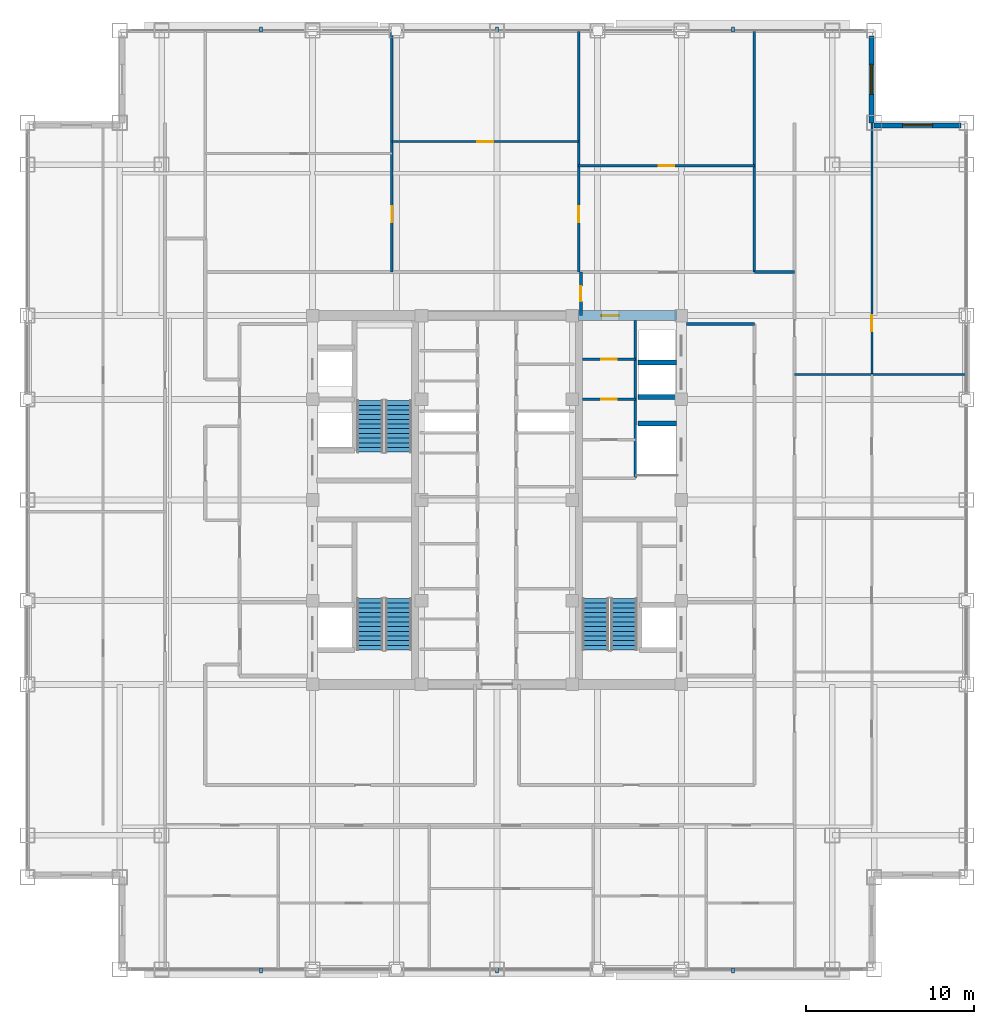
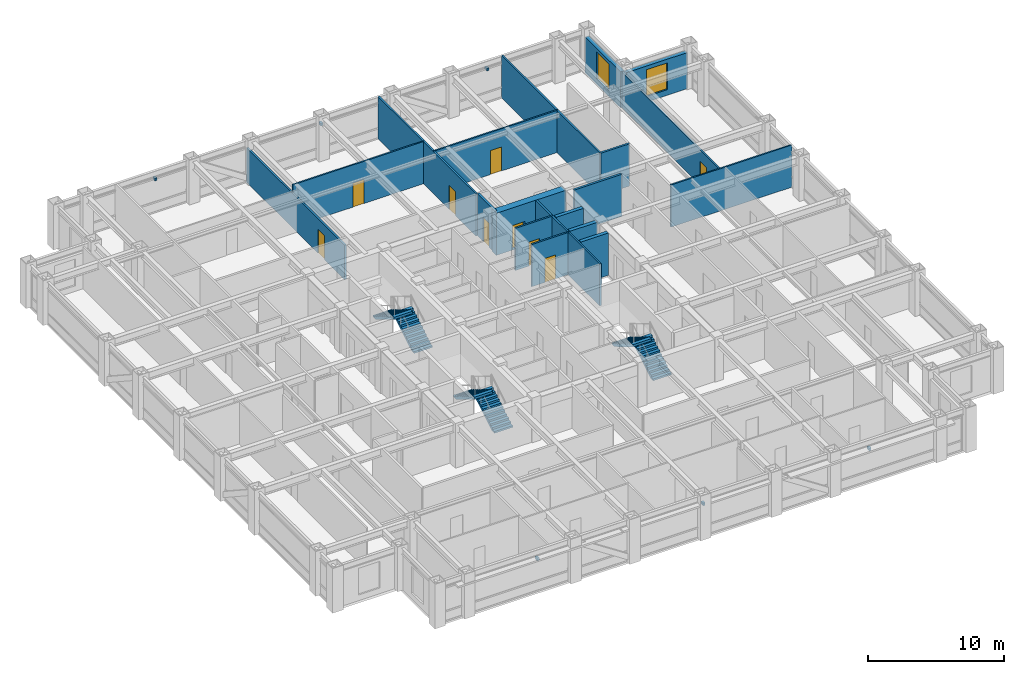
# One storey, part 22 of 27: 19 walls, 9 doors, 6 discrete accessories, 6 stair flights, 2 windows, 11 openings, 3 elements without a shape of their own.
"""IFC4 building model written with IfcOpenShell, lengths in metres."""

from ifc_helpers import new_model, si_unit, direction, frame, frame_2d, origin, origin_2d, place, context, subcontext, project, spatial, polyline, rectangle, outline, extrude, source, transform, mapped, material, layer, layer_set, type_object, element, fill, aggregate, save


model = new_model("IFC4")

# Units and contexts
model_context = context("Model", 3, precision=1e-05, world=origin(), true_north=direction((0.0, 1.0)))
body_context = subcontext(model_context, "Body", "Model", "MODEL_VIEW")
ifc_project = project(units=[si_unit("LENGTHUNIT", "METRE"), si_unit("AREAUNIT", "SQUARE_METRE"), si_unit("VOLUMEUNIT", "CUBIC_METRE"), si_unit("PLANEANGLEUNIT", "RADIAN"), si_unit("MASSUNIT", "GRAM", prefix="KILO")], contexts=[model_context])

# Site, building, storey
site_placement = place(None, origin())
site = spatial("IfcSite", under=ifc_project, at=site_placement, CompositionType="ELEMENT")
building_placement = place(site_placement, origin())
building = spatial("IfcBuilding", under=site, at=building_placement, Name="Khorayat Bourse Tower", CompositionType="ELEMENT")
storey_placement = place(building_placement, frame((0.0, 0.0, 285.5)))
storey = spatial("IfcBuildingStorey", under=building, at=storey_placement, Name="L67", CompositionType="ELEMENT", Elevation=285.5)

# Wall, opening, door
ifc_material_1 = material(Name="Concrete C60/75", Category="concrete")
ifc_layer_1 = layer(ifc_material_1, 0.60009765625)
ifc_layer_set_1 = layer_set([ifc_layer_1], Name="Concrete C60/75")
wall_type_1 = type_object("IfcWallType", Name="WAL-CORE-600", PredefinedType="SHEAR", material=ifc_layer_set_1)
shared_shape_1 = source(origin(), body_context, "Body", "SweptSolid", [
    extrude(rectangle(XDim=5.89990234375, YDim=0.60009765625, at=frame_2d((2.949951171875, 0.0))), origin(), (0.0, 0.0, 1.0), 3.780029296875),
])
wall_1_placement = place(storey_placement, frame((4.85009765625, 11.0, 0.0), z_axis=(0.0, 0.0, 1.0), x_axis=(1.0, 0.0, 0.0)))
wall_1 = element("IfcWall", 1, at=wall_1_placement, inside=storey, type_object=wall_type_1, Name="L67 Core Shear Wall PIER-EN", PredefinedType="SHEAR", context=body_context, shape_type="MappedRepresentation", body=[
    mapped(shared_shape_1, transform((0.0, 0.0, 0.0), scale=1.0)),
])
shared_shape_2 = source(origin(), body_context, "Body", "SweptSolid", [
    extrude(rectangle(XDim=1.050048828125, YDim=2.199951171875, at=frame_2d((0.52490234375, 1.10009765625))), frame((0.0, 0.31005859375, 0.0), z_axis=(0.0, -1.0, 0.0), x_axis=(1.0, 0.0, 0.0)), (0.0, 0.0, 1.0), 0.6201171875),
])
opening_1_placement = place(wall_1_placement, frame((1.375, 0.0, 0.0)))
opening_1 = element("IfcOpeningElement", 2, at=opening_1_placement, cuts=wall_1, Name="Opening DI-04", PredefinedType="OPENING", context=body_context, shape_type="MappedRepresentation", body=[
    mapped(shared_shape_2, transform((0.0, 0.0, 0.0), scale=1.0)),
])
ifc_material_2 = material(Name="Fire-rated oak veneer suite entrance door")
door_type_1 = type_object("IfcDoorType", Name="DR-INT-SUITE-1050", OperationType="NOTDEFINED", PredefinedType="DOOR", material=ifc_material_2)
shared_shape_3 = source(origin(), body_context, "Body", "SweptSolid", [
    extrude(rectangle(XDim=1.050048828125, YDim=2.199951171875, at=frame_2d((0.52490234375, 1.10009765625))), frame((0.0, 0.02490234375, 0.0), z_axis=(0.0, -1.0, 0.0), x_axis=(1.0, 0.0, 0.0)), (0.0, 0.0, 1.0), 0.050048828125),
])
door_1_placement = place(opening_1_placement, origin())
door_1 = element("IfcDoor", 3, at=door_1_placement, inside=storey, type_object=door_type_1, Name="L67 Core Washroom Lobby Door", OperationType="SINGLE_SWING_LEFT", OverallHeight=2.199951171875, OverallWidth=1.050048828125, PredefinedType="DOOR", context=body_context, shape_type="MappedRepresentation", body=[
    mapped(shared_shape_3, transform((0.0, 0.0, 0.0), scale=1.0)),
])
fill(opening_1, door_1)

# Wall, opening, window
ifc_material_3 = material(Name="Precast concrete C45/55", Category="concrete")
ifc_layer_2 = layer(ifc_material_3, 0.320068359375)
ifc_layer_set_2 = layer_set([ifc_layer_2], Name="Precast concrete C45/55")
wall_type_2 = type_object("IfcWallType", Name="WAL-EXT-STONE-320", PredefinedType="STANDARD", material=ifc_layer_set_2)
shared_shape_4 = source(origin(), body_context, "Body", "SweptSolid", [
    extrude(rectangle(XDim=5.179931640625, YDim=0.320068359375, at=frame_2d((2.58984375, 0.0))), origin(), (0.0, 0.0, 1.0), 3.23095703125),
])
wall_2_placement = place(storey_placement, frame((22.5, 22.340087890625, 0.0), z_axis=(0.0, 0.0, 1.0), x_axis=(1.0, 0.0, 0.0)))
wall_2 = element("IfcWall", 4, at=wall_2_placement, inside=storey, type_object=wall_type_2, Name="L67 Re-Entrant Notch Limestone Wall NE-H", PredefinedType="STANDARD", context=body_context, shape_type="MappedRepresentation", body=[
    mapped(shared_shape_4, transform((0.0, 0.0, 0.0), scale=1.0)),
])
shared_shape_5 = source(origin(), body_context, "Body", "SweptSolid", [
    extrude(rectangle(XDim=1.800048828125, YDim=2.39990234375, at=frame_2d((0.89990234375, 1.199951171875))), frame((0.0, 0.169921875, 0.0), z_axis=(0.0, -1.0, 0.0), x_axis=(1.0, 0.0, 0.0)), (0.0, 0.0, 1.0), 0.340087890625),
])
opening_2_placement = place(wall_2_placement, frame((1.68994140625, 0.0, 0.5)))
opening_2 = element("IfcOpeningElement", 5, at=opening_2_placement, cuts=wall_2, Name="Opening WN-04", PredefinedType="OPENING", context=body_context, shape_type="MappedRepresentation", body=[
    mapped(shared_shape_5, transform((0.0, 0.0, 0.0), scale=1.0)),
])
ifc_material_4 = material(Name="Low-E acoustic laminated double glazing", Category="glass")
window_type = type_object("IfcWindowType", Name="WIN-NOTCH-1800x2400", PartitioningType="SINGLE_PANEL", PredefinedType="WINDOW", material=ifc_material_4)
shared_shape_6 = source(origin(), body_context, "Body", "SweptSolid", [
    extrude(rectangle(XDim=1.800048828125, YDim=2.39990234375, at=frame_2d((0.89990234375, 1.199951171875))), frame((0.0, 0.030029296875, 0.0), z_axis=(0.0, -1.0, 0.0), x_axis=(1.0, 0.0, 0.0)), (0.0, 0.0, 1.0), 0.06005859375),
])
window_1_placement = place(opening_2_placement, origin())
window_1 = element("IfcWindow", 6, at=window_1_placement, inside=storey, type_object=window_type, Name="L67 Facade Window 1", OverallHeight=2.39990234375, OverallWidth=1.800048828125, PartitioningType="SINGLE_PANEL", PredefinedType="WINDOW", context=body_context, shape_type="MappedRepresentation", body=[
    mapped(shared_shape_6, transform((0.0, 0.0, 0.0), scale=1.0)),
])
fill(opening_2, window_1)

wall_3_placement = place(storey_placement, frame((22.340087890625, 22.5, 0.0), z_axis=(0.0, 0.0, 1.0), x_axis=(0.0, 1.0, 0.0)))
wall_3 = element("IfcWall", 7, at=wall_3_placement, inside=storey, type_object=wall_type_2, Name="L67 Re-Entrant Notch Limestone Wall NE-V", PredefinedType="STANDARD", context=body_context, shape_type="MappedRepresentation", body=[
    mapped(shared_shape_4, transform((0.0, 0.0, 0.0), scale=1.0)),
])
opening_3_placement = place(wall_3_placement, frame((1.68994140625, 0.0, 0.5)))
opening_3 = element("IfcOpeningElement", 8, at=opening_3_placement, cuts=wall_3, Name="Opening WN-04", PredefinedType="OPENING", context=body_context, shape_type="MappedRepresentation", body=[
    mapped(shared_shape_5, transform((0.0, 0.0, 0.0), scale=1.0)),
])
window_2_placement = place(opening_3_placement, origin())
window_2 = element("IfcWindow", 9, at=window_2_placement, inside=storey, type_object=window_type, Name="L67 Facade Window 1", OverallHeight=2.39990234375, OverallWidth=1.800048828125, PartitioningType="SINGLE_PANEL", PredefinedType="WINDOW", context=body_context, shape_type="MappedRepresentation", body=[
    mapped(shared_shape_6, transform((0.0, 0.0, 0.0), scale=1.0)),
])
fill(opening_3, window_2)

# Walls
ifc_material_5 = material(Name="Concrete C50/60", Category="concrete")
ifc_layer_3 = layer(ifc_material_5, 0.300048828125)
ifc_layer_set_3 = layer_set([ifc_layer_3], Name="Concrete C50/60")
wall_type_3 = type_object("IfcWallType", Name="WAL-SHAFT-300", PredefinedType="SHEAR", material=ifc_layer_set_3)
shared_shape_7 = source(origin(), body_context, "Body", "SweptSolid", [
    extrude(rectangle(XDim=2.300048828125, YDim=0.300048828125, at=frame_2d((1.14990234375, 0.0))), origin(), (0.0, 0.0, 1.0), 3.780029296875),
])
for number, where, z_axis, x_axis, name in (
    (10, (8.39990234375, 4.550048828125, 0.0), (0.0, 0.0, 1.0), (1.0, 0.0, 0.0), "L67 Partition WAL-L67-EPIER-SVLN"),
    (11, (8.39990234375, 6.14990234375, 0.0), (0.0, 0.0, 1.0), (1.0, 0.0, 0.0), "L67 Partition WAL-L67-EPIER-H3S"),
    (12, (8.39990234375, 8.199951171875, 0.0), (0.0, 0.0, 1.0), (1.0, 0.0, 0.0), "L67 Partition WAL-L67-EPIER-H34"),
):
    element("IfcWall", number, at=place(storey_placement, frame(where, z_axis=z_axis, x_axis=x_axis)), inside=storey, type_object=wall_type_3, Name=name, PredefinedType="SHEAR", context=body_context, shape_type="MappedRepresentation", body=[
        mapped(shared_shape_7, transform((0.0, 0.0, 0.0), scale=1.0)),
    ])
ifc_material_6 = material(Name="Moisture-resistant masonry partition", Category="masonry")
ifc_layer_4 = layer(ifc_material_6, 0.139892578125)
ifc_layer_set_4 = layer_set([ifc_layer_4], Name="Moisture-resistant masonry partition")
wall_type_4 = type_object("IfcWallType", Name="WAL-PART-WET-140", PredefinedType="PARTITIONING", material=ifc_layer_set_4)
shared_shape_8 = source(origin(), body_context, "Body", "SweptSolid", [
    extrude(rectangle(XDim=9.39990234375, YDim=0.139892578125, at=frame_2d((4.699951171875, 0.0))), origin(), (0.0, 0.0, 1.0), 3.780029296875),
])
wall_4_placement = place(storey_placement, frame((8.25, 1.300048828125, 0.0), z_axis=(0.0, 0.0, 1.0), x_axis=(0.0, 1.0, 0.0)))
element("IfcWall", 13, at=wall_4_placement, inside=storey, type_object=wall_type_4, Name="L67 Partition WAL-L67-ECORE-E", PredefinedType="PARTITIONING", context=body_context, shape_type="MappedRepresentation", body=[
    mapped(shared_shape_8, transform((0.0, 0.0, 0.0), scale=1.0)),
])

# Wall, opening, door
shared_shape_9 = source(origin(), body_context, "Body", "SweptSolid", [
    extrude(rectangle(XDim=3.14990234375, YDim=0.139892578125, at=frame_2d((1.574951171875, 0.0))), origin(), (0.0, 0.0, 1.0), 3.780029296875),
])
wall_5_placement = place(storey_placement, frame((5.10009765625, 8.39990234375, 0.0), z_axis=(0.0, 0.0, 1.0), x_axis=(1.0, 0.0, 0.0)))
wall_5 = element("IfcWall", 14, at=wall_5_placement, inside=storey, type_object=wall_type_4, Name="L67 Partition WAL-L67-ECW-TOP", PredefinedType="PARTITIONING", context=body_context, shape_type="MappedRepresentation", body=[
    mapped(shared_shape_9, transform((0.0, 0.0, 0.0), scale=1.0)),
])
shared_shape_10 = source(origin(), body_context, "Body", "SweptSolid", [
    extrude(rectangle(XDim=0.89990234375, YDim=2.14990234375, at=frame_2d((0.449951171875, 1.074951171875))), frame((0.0, 0.079833984375, 0.0), z_axis=(0.0, -1.0, 0.0), x_axis=(1.0, 0.0, 0.0)), (0.0, 0.0, 1.0), 0.159912109375),
])
opening_4_placement = place(wall_5_placement, frame((1.1298828125, 0.0, 0.0)))
opening_4 = element("IfcOpeningElement", 15, at=opening_4_placement, cuts=wall_5, Name="Opening DI-06", PredefinedType="OPENING", context=body_context, shape_type="MappedRepresentation", body=[
    mapped(shared_shape_10, transform((0.0, 0.0, 0.0), scale=1.0)),
])
ifc_material_7 = material(Name="Moisture-resistant laminate washroom door")
door_type_2 = type_object("IfcDoorType", Name="DR-INT-WC-900", OperationType="NOTDEFINED", PredefinedType="DOOR", material=ifc_material_7)
shared_shape_11 = source(origin(), body_context, "Body", "SweptSolid", [
    extrude(rectangle(XDim=0.89990234375, YDim=2.14990234375, at=frame_2d((0.449951171875, 1.074951171875))), frame((0.0, 0.02490234375, 0.0), z_axis=(0.0, -1.0, 0.0), x_axis=(1.0, 0.0, 0.0)), (0.0, 0.0, 1.0), 0.050048828125),
])
door_2_placement = place(opening_4_placement, origin())
door_2 = element("IfcDoor", 16, at=door_2_placement, inside=storey, type_object=door_type_2, Name="L67 Accessible WC Door", OperationType="SINGLE_SWING_LEFT", OverallHeight=2.14990234375, OverallWidth=0.89990234375, PredefinedType="DOOR", context=body_context, shape_type="MappedRepresentation", body=[
    mapped(shared_shape_11, transform((0.0, 0.0, 0.0), scale=1.0)),
])
fill(opening_4, door_2)

wall_6_placement = place(storey_placement, frame((5.10009765625, 6.0, 0.0), z_axis=(0.0, 0.0, 1.0), x_axis=(1.0, 0.0, 0.0)))
wall_6 = element("IfcWall", 17, at=wall_6_placement, inside=storey, type_object=wall_type_4, Name="L67 Partition WAL-L67-ECW-H1", PredefinedType="PARTITIONING", context=body_context, shape_type="MappedRepresentation", body=[
    mapped(shared_shape_9, transform((0.0, 0.0, 0.0), scale=1.0)),
])
opening_5_placement = place(wall_6_placement, frame((1.1298828125, 0.0, 0.0)))
opening_5 = element("IfcOpeningElement", 18, at=opening_5_placement, cuts=wall_6, Name="Opening DI-06", PredefinedType="OPENING", context=body_context, shape_type="MappedRepresentation", body=[
    mapped(shared_shape_10, transform((0.0, 0.0, 0.0), scale=1.0)),
])
door_3_placement = place(opening_5_placement, origin())
door_3 = element("IfcDoor", 19, at=door_3_placement, inside=storey, type_object=door_type_2, Name="L67 Shared Washroom Door", OperationType="SINGLE_SWING_RIGHT", OverallHeight=2.14990234375, OverallWidth=0.89990234375, PredefinedType="DOOR", context=body_context, shape_type="MappedRepresentation", body=[
    mapped(shared_shape_11, transform((0.0, 0.0, 0.0), scale=1.0)),
])
fill(opening_5, door_3)

# Wall
ifc_material_8 = material(Name="Gypsum plasterboard acoustic stud wall")
ifc_layer_5 = layer(ifc_material_8, 0.179931640625)
ifc_layer_set_5 = layer_set([ifc_layer_5], Name="Gypsum plasterboard acoustic stud wall")
wall_type_5 = type_object("IfcWallType", Name="WAL-PART-CORR-180", PredefinedType="PARTITIONING", material=ifc_layer_set_5)
shared_shape_12 = source(origin(), body_context, "Body", "SweptSolid", [
    extrude(rectangle(XDim=4.050048828125, YDim=0.179931640625, at=frame_2d((2.02490234375, 0.0))), origin(), (0.0, 0.0, 1.0), 3.780029296875),
])
wall_7_placement = place(storey_placement, frame((11.300048828125, 10.5, 0.0), z_axis=(0.0, 0.0, 1.0), x_axis=(1.0, 0.0, 0.0)))
element("IfcWall", 20, at=wall_7_placement, inside=storey, type_object=wall_type_5, Name="L67 Partition WAL-L67-ELOB-N", PredefinedType="PARTITIONING", context=body_context, shape_type="MappedRepresentation", body=[
    mapped(shared_shape_12, transform((0.0, 0.0, 0.0), scale=1.0)),
])

# Wall, opening, door
shared_shape_13 = source(origin(), body_context, "Body", "SweptSolid", [
    extrude(rectangle(XDim=2.60009765625, YDim=0.179931640625, at=frame_2d((1.300048828125, 0.0))), origin(), (0.0, 0.0, 1.0), 3.780029296875),
])
wall_8_placement = place(storey_placement, frame((5.0, 11.0, 0.0), z_axis=(0.0, 0.0, 1.0), x_axis=(0.0, 1.0, 0.0)))
wall_8 = element("IfcWall", 21, at=wall_8_placement, inside=storey, type_object=wall_type_5, Name="L67 Partition WAL-L67-CORRNE-W", PredefinedType="PARTITIONING", context=body_context, shape_type="MappedRepresentation", body=[
    mapped(shared_shape_13, transform((0.0, 0.0, 0.0), scale=1.0)),
])
shared_shape_14 = source(origin(), body_context, "Body", "SweptSolid", [
    extrude(rectangle(XDim=0.89990234375, YDim=2.14990234375, at=frame_2d((0.449951171875, 1.074951171875))), frame((0.0, 0.099853515625, 0.0), z_axis=(0.0, -1.0, 0.0), x_axis=(1.0, 0.0, 0.0)), (0.0, 0.0, 1.0), 0.199951171875),
])
opening_6_placement = place(wall_8_placement, frame((0.85009765625, 0.0, 0.0)))
opening_6 = element("IfcOpeningElement", 22, at=opening_6_placement, cuts=wall_8, Name="Opening DI-06", PredefinedType="OPENING", context=body_context, shape_type="MappedRepresentation", body=[
    mapped(shared_shape_14, transform((0.0, 0.0, 0.0), scale=1.0)),
])
door_4_placement = place(opening_6_placement, origin())
door_4 = element("IfcDoor", 23, at=door_4_placement, inside=storey, type_object=door_type_2, Name="L67 North Core Pantry Door", OperationType="SINGLE_SWING_LEFT", OverallHeight=2.14990234375, OverallWidth=0.89990234375, PredefinedType="DOOR", context=body_context, shape_type="MappedRepresentation", body=[
    mapped(shared_shape_11, transform((0.0, 0.0, 0.0), scale=1.0)),
])
fill(opening_6, door_4)

# Wall
shared_shape_15 = source(origin(), body_context, "Body", "SweptSolid", [
    extrude(rectangle(XDim=2.39990234375, YDim=0.179931640625, at=frame_2d((1.199951171875, 0.0))), origin(), (0.0, 0.0, 1.0), 3.780029296875),
])
wall_9_placement = place(storey_placement, frame((15.35009765625, 13.60009765625, 0.0), z_axis=(0.0, 0.0, 1.0), x_axis=(1.0, 0.0, 0.0)))
element("IfcWall", 24, at=wall_9_placement, inside=storey, type_object=wall_type_5, Name="L67 Partition WAL-L67-GALE-N", PredefinedType="PARTITIONING", context=body_context, shape_type="MappedRepresentation", body=[
    mapped(shared_shape_15, transform((0.0, 0.0, 0.0), scale=1.0)),
])

# Wall, opening, door
ifc_material_9 = material(Name="Gypsum plasterboard twin-frame partition")
ifc_layer_6 = layer(ifc_material_9, 0.14990234375)
ifc_layer_set_6 = layer_set([ifc_layer_6], Name="Gypsum plasterboard twin-frame partition")
wall_type_6 = type_object("IfcWallType", Name="WAL-PART-SUITE-150", PredefinedType="PARTITIONING", material=ifc_layer_set_6)
shared_shape_16 = source(origin(), body_context, "Body", "SweptSolid", [
    extrude(rectangle(XDim=14.39990234375, YDim=0.14990234375, at=frame_2d((7.199951171875, 0.0))), origin(), (0.0, 0.0, 1.0), 3.780029296875),
])
wall_10_placement = place(storey_placement, frame((4.8701171875, 13.60009765625, 0.0), z_axis=(0.0, 0.0, 1.0), x_axis=(0.0, 1.0, 0.0)))
wall_10 = element("IfcWall", 25, at=wall_10_placement, inside=storey, type_object=wall_type_6, Name="L67 Partition WAL-L67-NDV-2", PredefinedType="PARTITIONING", context=body_context, shape_type="MappedRepresentation", body=[
    mapped(shared_shape_16, transform((0.0, 0.0, 0.0), scale=1.0)),
])
shared_shape_17 = source(origin(), body_context, "Body", "SweptSolid", [
    extrude(rectangle(XDim=0.949951171875, YDim=2.14990234375, at=frame_2d((0.47509765625, 1.074951171875))), frame((0.0, 0.0849609375, 0.0), z_axis=(0.0, -1.0, 0.0), x_axis=(1.0, 0.0, 0.0)), (0.0, 0.0, 1.0), 0.169921875),
])
opening_7_placement = place(wall_10_placement, frame((2.98095703125, 0.0, 0.0)))
opening_7 = element("IfcOpeningElement", 26, at=opening_7_placement, cuts=wall_10, Name="Opening DI-05", PredefinedType="OPENING", context=body_context, shape_type="MappedRepresentation", body=[
    mapped(shared_shape_17, transform((0.0, 0.0, 0.0), scale=1.0)),
])
ifc_material_10 = material(Name="Acoustic oak veneer office door")
door_type_3 = type_object("IfcDoorType", Name="DR-INT-OFFICE-950", OperationType="NOTDEFINED", PredefinedType="DOOR", material=ifc_material_10)
shared_shape_18 = source(origin(), body_context, "Body", "SweptSolid", [
    extrude(rectangle(XDim=0.949951171875, YDim=2.14990234375, at=frame_2d((0.47509765625, 1.074951171875))), frame((0.0, 0.02490234375, 0.0), z_axis=(0.0, -1.0, 0.0), x_axis=(1.0, 0.0, 0.0)), (0.0, 0.0, 1.0), 0.050048828125),
])
door_5_placement = place(opening_7_placement, origin())
door_5 = element("IfcDoor", 27, at=door_5_placement, inside=storey, type_object=door_type_3, Name="L67 N Suite Link 2", OperationType="SINGLE_SWING_LEFT", OverallHeight=2.14990234375, OverallWidth=0.949951171875, PredefinedType="DOOR", context=body_context, shape_type="MappedRepresentation", body=[
    mapped(shared_shape_18, transform((0.0, 0.0, 0.0), scale=1.0)),
])
fill(opening_7, door_5)

# Walls
wall_11_placement = place(storey_placement, frame((15.35009765625, 13.60009765625, 0.0), z_axis=(0.0, 0.0, 1.0), x_axis=(0.0, 1.0, 0.0)))
element("IfcWall", 28, at=wall_11_placement, inside=storey, type_object=wall_type_6, Name="L67 Partition WAL-L67-NCE-END", PredefinedType="PARTITIONING", context=body_context, shape_type="MappedRepresentation", body=[
    mapped(shared_shape_16, transform((0.0, 0.0, 0.0), scale=1.0)),
])
ifc_material_11 = material(Name="Gypsum plasterboard partition")
ifc_layer_7 = layer(ifc_material_11, 0.125)
ifc_layer_set_7 = layer_set([ifc_layer_7], Name="Gypsum plasterboard partition")
wall_type_7 = type_object("IfcWallType", Name="WAL-PART-ROOM-125", PredefinedType="PARTITIONING", material=ifc_layer_set_7)
shared_shape_19 = source(origin(), body_context, "Body", "SweptSolid", [
    extrude(rectangle(XDim=10.25, YDim=0.125, at=frame_2d((5.125, 0.0))), origin(), (0.0, 0.0, 1.0), 3.780029296875),
])
wall_12_placement = place(storey_placement, frame((17.75, 7.47998046875, 0.0), z_axis=(0.0, 0.0, 1.0), x_axis=(1.0, 0.0, 0.0)))
element("IfcWall", 29, at=wall_12_placement, inside=storey, type_object=wall_type_7, Name="L67 Partition WAL-L67-EDV-3", PredefinedType="PARTITIONING", context=body_context, shape_type="MappedRepresentation", body=[
    mapped(shared_shape_19, transform((0.0, 0.0, 0.0), scale=1.0)),
])

# Wall, opening, door
shared_shape_20 = source(origin(), body_context, "Body", "SweptSolid", [
    extrude(rectangle(XDim=11.135009765625, YDim=0.125, at=frame_2d((5.5673828125, 0.0))), origin(), (0.0, 0.0, 1.0), 3.780029296875),
])
wall_13_placement = place(storey_placement, frame((-6.264892578125, 21.3759765625, 0.0), z_axis=(0.0, 0.0, 1.0), x_axis=(1.0, 0.0, 0.0)))
wall_13 = element("IfcWall", 30, at=wall_13_placement, inside=storey, type_object=wall_type_7, Name="L67 Partition WAL-L67-NDP-2", PredefinedType="PARTITIONING", context=body_context, shape_type="MappedRepresentation", body=[
    mapped(shared_shape_20, transform((0.0, 0.0, 0.0), scale=1.0)),
])
shared_shape_21 = source(origin(), body_context, "Body", "SweptSolid", [
    extrude(rectangle(XDim=0.949951171875, YDim=2.14990234375, at=frame_2d((0.47509765625, 1.074951171875))), frame((0.0, 0.072509765625, 0.0), z_axis=(0.0, -1.0, 0.0), x_axis=(1.0, 0.0, 0.0)), (0.0, 0.0, 1.0), 0.14501953125),
])
opening_8_placement = place(wall_13_placement, frame((5.092529296875, 0.0, 0.0)))
opening_8 = element("IfcOpeningElement", 31, at=opening_8_placement, cuts=wall_13, Name="Opening DI-05", PredefinedType="OPENING", context=body_context, shape_type="MappedRepresentation", body=[
    mapped(shared_shape_21, transform((0.0, 0.0, 0.0), scale=1.0)),
])
door_6_placement = place(opening_8_placement, origin())
door_6 = element("IfcDoor", 32, at=door_6_placement, inside=storey, type_object=door_type_3, Name="L67 Equities Trading Desk N2B Door", OperationType="SINGLE_SWING_LEFT", OverallHeight=2.14990234375, OverallWidth=0.949951171875, PredefinedType="DOOR", context=body_context, shape_type="MappedRepresentation", body=[
    mapped(shared_shape_18, transform((0.0, 0.0, 0.0), scale=1.0)),
])
fill(opening_8, door_6)

shared_shape_22 = source(origin(), body_context, "Body", "SweptSolid", [
    extrude(rectangle(XDim=14.39990234375, YDim=0.14990234375, at=frame_2d((7.199951171875, 0.0))), origin(), (0.0, 0.0, 1.0), 3.0849609375),
])
wall_14_placement = place(storey_placement, frame((-6.264892578125, 13.60009765625, 0.0), z_axis=(0.0, 0.0, 1.0), x_axis=(0.0, 1.0, 0.0)))
wall_14 = element("IfcWall", 33, at=wall_14_placement, inside=storey, type_object=wall_type_6, Name="L67 Partition WAL-L67-NDV-1", PredefinedType="PARTITIONING", context=body_context, shape_type="MappedRepresentation", body=[
    mapped(shared_shape_22, transform((0.0, 0.0, 0.0), scale=1.0)),
])
opening_9_placement = place(wall_14_placement, frame((2.98095703125, 0.0, 0.0)))
opening_9 = element("IfcOpeningElement", 34, at=opening_9_placement, cuts=wall_14, Name="Opening DI-05", PredefinedType="OPENING", context=body_context, shape_type="MappedRepresentation", body=[
    mapped(shared_shape_17, transform((0.0, 0.0, 0.0), scale=1.0)),
])
door_7_placement = place(opening_9_placement, origin())
door_7 = element("IfcDoor", 35, at=door_7_placement, inside=storey, type_object=door_type_3, Name="L67 N Suite Link 1", OperationType="SINGLE_SWING_RIGHT", OverallHeight=2.14990234375, OverallWidth=0.949951171875, PredefinedType="DOOR", context=body_context, shape_type="MappedRepresentation", body=[
    mapped(shared_shape_18, transform((0.0, 0.0, 0.0), scale=1.0)),
])
fill(opening_9, door_7)

shared_shape_23 = source(origin(), body_context, "Body", "SweptSolid", [
    extrude(rectangle(XDim=10.47998046875, YDim=0.125, at=frame_2d((5.239990234375, 0.0))), origin(), (0.0, 0.0, 1.0), 3.780029296875),
])
wall_15_placement = place(storey_placement, frame((4.8701171875, 19.93603515625, 0.0), z_axis=(0.0, 0.0, 1.0), x_axis=(1.0, 0.0, 0.0)))
wall_15 = element("IfcWall", 36, at=wall_15_placement, inside=storey, type_object=wall_type_7, Name="L67 Partition WAL-L67-NDP-3", PredefinedType="PARTITIONING", context=body_context, shape_type="MappedRepresentation", body=[
    mapped(shared_shape_23, transform((0.0, 0.0, 0.0), scale=1.0)),
])
opening_10_placement = place(wall_15_placement, frame((4.764892578125, 0.0, 0.0)))
opening_10 = element("IfcOpeningElement", 37, at=opening_10_placement, cuts=wall_15, Name="Opening DI-05", PredefinedType="OPENING", context=body_context, shape_type="MappedRepresentation", body=[
    mapped(shared_shape_21, transform((0.0, 0.0, 0.0), scale=1.0)),
])
door_8_placement = place(opening_10_placement, origin())
door_8 = element("IfcDoor", 38, at=door_8_placement, inside=storey, type_object=door_type_3, Name="L67 Market Risk Analytics Workspace N3B Door", OperationType="SINGLE_SWING_RIGHT", OverallHeight=2.14990234375, OverallWidth=0.949951171875, PredefinedType="DOOR", context=body_context, shape_type="MappedRepresentation", body=[
    mapped(shared_shape_18, transform((0.0, 0.0, 0.0), scale=1.0)),
])
fill(opening_10, door_8)

shared_shape_24 = source(origin(), body_context, "Body", "SweptSolid", [
    extrude(rectangle(XDim=15.02001953125, YDim=0.125, at=frame_2d((7.510009765625, 0.0))), origin(), (0.0, 0.0, 1.0), 3.1640625),
])
wall_16_placement = place(storey_placement, frame((22.362548828125, 7.47998046875, 0.0), z_axis=(0.0, 0.0, 1.0), x_axis=(0.0, 1.0, 0.0)))
wall_16 = element("IfcWall", 39, at=wall_16_placement, inside=storey, type_object=wall_type_7, Name="L67 Partition WAL-L67-EDP-4", PredefinedType="PARTITIONING", context=body_context, shape_type="MappedRepresentation", body=[
    mapped(shared_shape_24, transform((0.0, 0.0, 0.0), scale=1.0)),
])
opening_11_placement = place(wall_16_placement, frame((2.5849609375, 0.0, 0.0)))
opening_11 = element("IfcOpeningElement", 40, at=opening_11_placement, cuts=wall_16, Name="Opening DI-05", PredefinedType="OPENING", context=body_context, shape_type="MappedRepresentation", body=[
    mapped(shared_shape_21, transform((0.0, 0.0, 0.0), scale=1.0)),
])
door_9_placement = place(opening_11_placement, origin())
door_9 = element("IfcDoor", 41, at=door_9_placement, inside=storey, type_object=door_type_3, Name="L67 Clearing Operations Office E4B Door", OperationType="SINGLE_SWING_LEFT", OverallHeight=2.14990234375, OverallWidth=0.949951171875, PredefinedType="DOOR", context=body_context, shape_type="MappedRepresentation", body=[
    mapped(shared_shape_18, transform((0.0, 0.0, 0.0), scale=1.0)),
])
fill(opening_11, door_9)

# Stair, stair flights
ifc_material_12 = material(Name="Concrete C40/50", Category="concrete")
stair_type = type_object("IfcStairType", Name="STR-CORE-1550", PredefinedType="HALF_TURN_STAIR", material=ifc_material_12)
stair_1_placement = place(storey_placement, origin())
stair_1 = element("IfcStair", 42, at=stair_1_placement, inside=storey, type_object=stair_type, Name="L67 Exit Stair ST-1", PredefinedType="HALF_TURN_STAIR")
stair_flight_type = type_object("IfcStairFlightType", Name="FLT-CORE-1550", PredefinedType="STRAIGHT", material=ifc_material_12)
shared_shape_25 = source(origin(), body_context, "Body", "SweptSolid", [
    extrude(outline(polyline([(0.0, 0.0), (0.0, 0.166748046875), (0.280029296875, 0.166748046875), (0.280029296875, 0.333251953125), (0.56005859375, 0.333251953125), (0.56005859375, 0.5), (0.840087890625, 0.5), (0.840087890625, 0.666748046875), (1.1201171875, 0.666748046875), (1.1201171875, 0.833251953125), (1.39990234375, 0.833251953125), (1.39990234375, 1.0), (1.679931640625, 1.0), (1.679931640625, 1.166748046875), (1.9599609375, 1.166748046875), (1.9599609375, 1.333251953125), (2.239990234375, 1.333251953125), (2.239990234375, 1.5), (2.52001953125, 1.5), (2.52001953125, 1.666748046875), (2.800048828125, 1.666748046875), (2.800048828125, 1.833251953125), (3.080078125, 1.833251953125), (3.080078125, 2.0), (3.080078125, 1.6240234375), (0.351806640625, 0.0), (0.0, 0.0)])), frame((0.0, 0.77490234375, 0.0), z_axis=(0.0, -1.0, 0.0), x_axis=(1.0, 0.0, 0.0)), (0.0, 0.0, 1.0), 1.550048828125),
])
stair_flight_1_placement = place(storey_placement, frame((-5.875, -8.949951171875, 0.0), z_axis=(0.0, 0.0, 1.0), x_axis=(0.0, 1.0, 0.0)))
stair_flight_1 = element("IfcStairFlight", 43, at=stair_flight_1_placement, type_object=stair_flight_type, Name="ST-1 flight 1", NumberOfRisers=12, NumberOfTreads=11, PredefinedType="STRAIGHT", RiserHeight=0.166666667, TreadLength=0.28, context=body_context, shape_type="MappedRepresentation", body=[
    mapped(shared_shape_25, transform((0.0, 0.0, 0.0), scale=1.0)),
])
stair_flight_2_placement = place(storey_placement, frame((-7.574951171875, -5.8701171875, 2.0), z_axis=(0.0, 0.0, 1.0), x_axis=(0.0, -1.0, 0.0)))
stair_flight_2 = element("IfcStairFlight", 44, at=stair_flight_2_placement, type_object=stair_flight_type, Name="ST-1 flight 2", NumberOfRisers=12, NumberOfTreads=11, PredefinedType="STRAIGHT", RiserHeight=0.166666667, TreadLength=0.28, context=body_context, shape_type="MappedRepresentation", body=[
    mapped(shared_shape_25, transform((0.0, 0.0, 0.0), scale=1.0)),
])
aggregate(stair_1, [stair_flight_1, stair_flight_2])

stair_2_placement = place(storey_placement, origin())
stair_2 = element("IfcStair", 45, at=stair_2_placement, inside=storey, type_object=stair_type, Name="L67 Exit Stair ST-2", PredefinedType="HALF_TURN_STAIR")
stair_flight_3_placement = place(storey_placement, frame((-5.875, 2.85009765625, 0.0), z_axis=(0.0, 0.0, 1.0), x_axis=(0.0, 1.0, 0.0)))
stair_flight_3 = element("IfcStairFlight", 46, at=stair_flight_3_placement, type_object=stair_flight_type, Name="ST-2 flight 1", NumberOfRisers=12, NumberOfTreads=11, PredefinedType="STRAIGHT", RiserHeight=0.166666667, TreadLength=0.28, context=body_context, shape_type="MappedRepresentation", body=[
    mapped(shared_shape_25, transform((0.0, 0.0, 0.0), scale=1.0)),
])
stair_flight_4_placement = place(storey_placement, frame((-7.574951171875, 5.929931640625, 2.0), z_axis=(0.0, 0.0, 1.0), x_axis=(0.0, -1.0, 0.0)))
stair_flight_4 = element("IfcStairFlight", 47, at=stair_flight_4_placement, type_object=stair_flight_type, Name="ST-2 flight 2", NumberOfRisers=12, NumberOfTreads=11, PredefinedType="STRAIGHT", RiserHeight=0.166666667, TreadLength=0.28, context=body_context, shape_type="MappedRepresentation", body=[
    mapped(shared_shape_25, transform((0.0, 0.0, 0.0), scale=1.0)),
])
aggregate(stair_2, [stair_flight_3, stair_flight_4])

stair_3_placement = place(storey_placement, origin())
stair_3 = element("IfcStair", 48, at=stair_3_placement, inside=storey, type_object=stair_type, Name="L67 Exit Stair ST-3", PredefinedType="HALF_TURN_STAIR")
stair_flight_5_placement = place(storey_placement, frame((7.574951171875, -8.949951171875, 0.0), z_axis=(0.0, 0.0, 1.0), x_axis=(0.0, 1.0, 0.0)))
stair_flight_5 = element("IfcStairFlight", 49, at=stair_flight_5_placement, type_object=stair_flight_type, Name="ST-3 flight 1", NumberOfRisers=12, NumberOfTreads=11, PredefinedType="STRAIGHT", RiserHeight=0.166666667, TreadLength=0.28, context=body_context, shape_type="MappedRepresentation", body=[
    mapped(shared_shape_25, transform((0.0, 0.0, 0.0), scale=1.0)),
])
stair_flight_6_placement = place(storey_placement, frame((5.875, -5.8701171875, 2.0), z_axis=(0.0, 0.0, 1.0), x_axis=(0.0, -1.0, 0.0)))
stair_flight_6 = element("IfcStairFlight", 50, at=stair_flight_6_placement, type_object=stair_flight_type, Name="ST-3 flight 2", NumberOfRisers=12, NumberOfTreads=11, PredefinedType="STRAIGHT", RiserHeight=0.166666667, TreadLength=0.28, context=body_context, shape_type="MappedRepresentation", body=[
    mapped(shared_shape_25, transform((0.0, 0.0, 0.0), scale=1.0)),
])
aggregate(stair_3, [stair_flight_5, stair_flight_6])

# Discrete accessories
ifc_material_13 = material(Name="Steel EN 10025-2 S355J2", Category="steel")
discrete_accessory_type = type_object("IfcDiscreteAccessoryType", Name="ACC-SHADE-BRACKET", PredefinedType="BRACKET", material=ifc_material_13)
shared_shape_26 = source(origin(), body_context, "Body", "SweptSolid", [
    extrude(rectangle(XDim=0.179931640625, YDim=0.300048828125, at=origin_2d()), origin(), (0.0, 0.0, 1.0), 0.239990234375),
])
for number, where, z_axis, x_axis, name in (
    (51, (-14.066650390625, -28.06005859375, 2.8798828125), (0.0, 0.0, 1.0), (1.0, 0.0, 0.0), "L67 Sunshade Support Bracket S-1"),
    (52, (0.0, -28.06005859375, 2.8798828125), (0.0, 0.0, 1.0), (1.0, 0.0, 0.0), "L67 Sunshade Support Bracket S-2"),
    (53, (14.066650390625, -28.06005859375, 2.8798828125), (0.0, 0.0, 1.0), (1.0, 0.0, 0.0), "L67 Sunshade Support Bracket S-3"),
    (54, (-14.066650390625, 28.06005859375, 2.8798828125), (0.0, 0.0, 1.0), (1.0, 0.0, 0.0), "L67 Sunshade Support Bracket N-1"),
    (55, (0.0, 28.06005859375, 2.8798828125), (0.0, 0.0, 1.0), (1.0, 0.0, 0.0), "L67 Sunshade Support Bracket N-2"),
    (56, (14.066650390625, 28.06005859375, 2.8798828125), (0.0, 0.0, 1.0), (1.0, 0.0, 0.0), "L67 Sunshade Support Bracket N-3"),
):
    element("IfcDiscreteAccessory", number, at=place(storey_placement, frame(where, z_axis=z_axis, x_axis=x_axis)), inside=storey, type_object=discrete_accessory_type, Name=name, PredefinedType="BRACKET", context=body_context, shape_type="MappedRepresentation", body=[
        mapped(shared_shape_26, transform((0.0, 0.0, 0.0), scale=1.0)),
    ])

save(model, "model.ifc")
